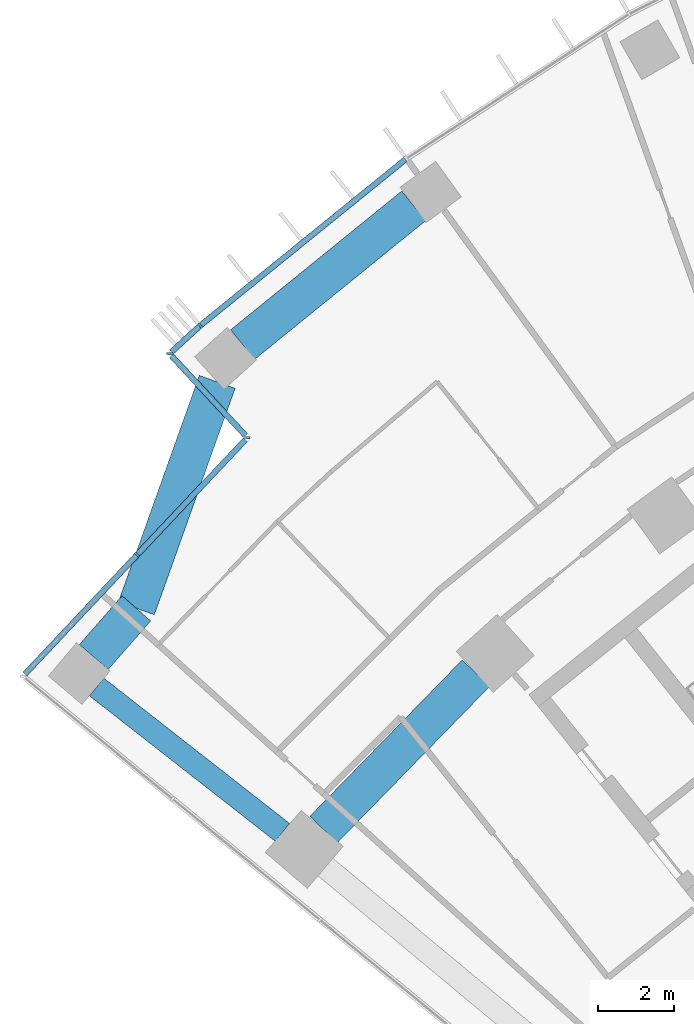
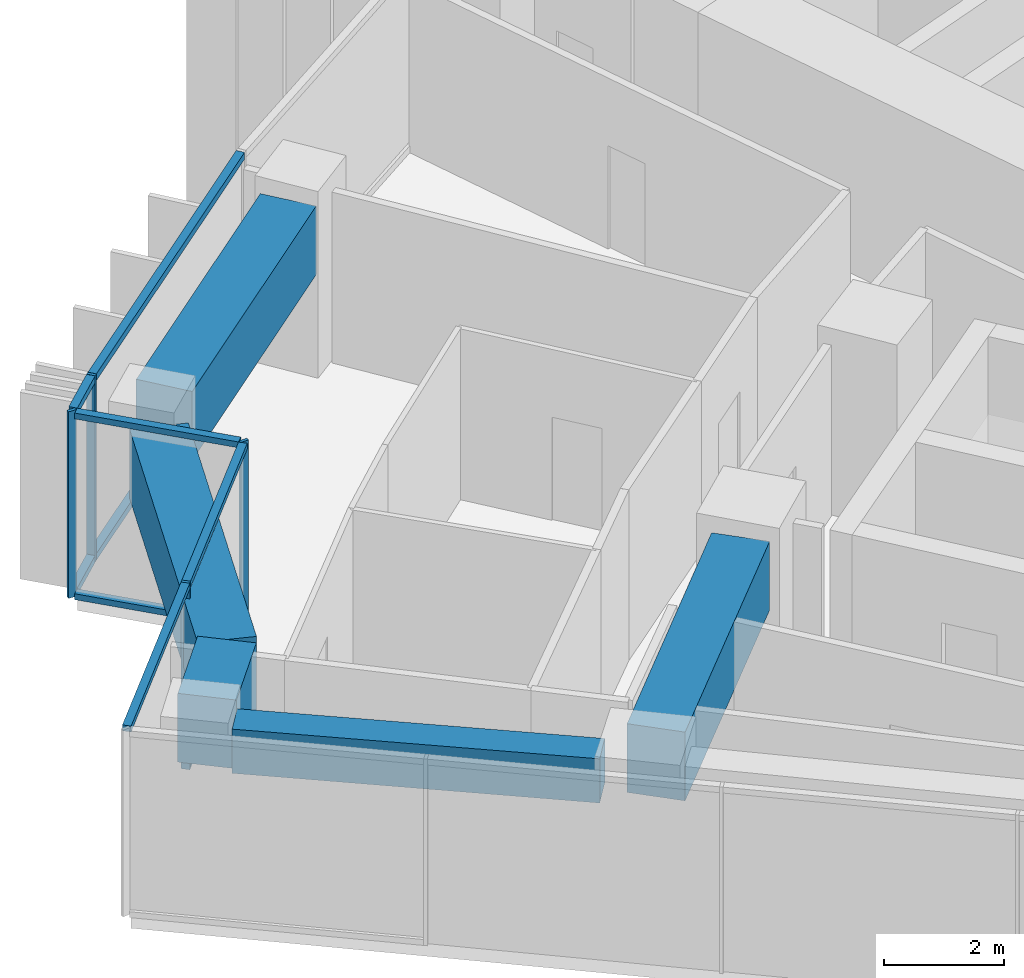
# One storey, part 3 of 22: 13 members, 5 beams, 3 elements without a shape of their own.
"""IFC4 building model written with IfcOpenShell, lengths in metres."""

from ifc_helpers import new_model, si_unit, direction, frame, origin, origin_2d, place, context, subcontext, project, spatial, rectangle, extrude, material, layer, layer_set, material_profile, profile_set, type_object, element, aggregate, save


model = new_model("IFC4")

# Units and contexts
model_context = context("Model", 3, precision=1e-05, world=origin(), true_north=direction((0.0, 1.0)))
body_context = subcontext(model_context, "Body", "Model", "MODEL_VIEW")
ifc_project = project(units=[si_unit("LENGTHUNIT", "METRE"), si_unit("AREAUNIT", "SQUARE_METRE"), si_unit("VOLUMEUNIT", "CUBIC_METRE"), si_unit("PLANEANGLEUNIT", "RADIAN"), si_unit("MASSUNIT", "GRAM", prefix="KILO")], contexts=[model_context])

# Site, building, storey
site_placement = place(None, origin())
site = spatial("IfcSite", under=ifc_project, at=site_placement, CompositionType="ELEMENT")
building_placement = place(site_placement, origin())
building = spatial("IfcBuilding", under=site, at=building_placement, Name="Stone Belt Terrace Tower", CompositionType="ELEMENT")
storey_placement = place(building_placement, frame((0.0, 0.0, 109.800048828125)))
storey = spatial("IfcBuildingStorey", under=building, at=storey_placement, Name="L26", CompositionType="ELEMENT", Elevation=109.800048828125)

# Curtain wall, members
ifc_material_1 = material(Name="Aluminium 6063-T6 anodised frame", Category="aluminium")
ifc_layer_1 = layer(ifc_material_1, 0.14990234375)
ifc_layer_set_1 = layer_set([ifc_layer_1], Name="CW-A unitised convex-face curtain wall")
curtain_wall_type_1 = type_object("IfcCurtainWallType", Name="CW-A unitised convex-face curtain wall", PredefinedType="NOTDEFINED", material=ifc_layer_set_1)
curtain_wall_1_placement = place(storey_placement, origin())
curtain_wall_1 = element("IfcCurtainWall", 1, at=curtain_wall_1_placement, inside=storey, type_object=curtain_wall_type_1, Name="CW-A convex face L26", PredefinedType="NOTDEFINED")
ifc_material_profile_1 = material_profile(ifc_material_1, rectangle(XDim=0.14990234375, YDim=0.06005859375, at=origin_2d()), Name="Aluminium 6063-T6 60x150")
ifc_profile_set_1 = profile_set([ifc_material_profile_1], Name="Aluminium 6063-T6 anodised frame")
member_type_1 = type_object("IfcMemberType", Name="CW-A mullion 60 x 150", PredefinedType="MULLION", material=ifc_profile_set_1)
member_1_placement = place(storey_placement, frame((-44.546142578125, 49.47607421875, 0.0), z_axis=(0.0, 0.0, 1.0), x_axis=(0.652344213157, -0.757922837471, 0.0)))
member_1 = element("IfcMember", 2, at=member_1_placement, type_object=member_type_1, Name="CW-A mullion 17", PredefinedType="MULLION", context=body_context, shape_type="SweptSolid", body=[
    extrude(rectangle(XDim=0.14990234375, YDim=0.06005859375, at=origin_2d()), origin(), (0.0, 0.0, 1.0), 3.800048828125),
])
ifc_material_profile_2 = material_profile(ifc_material_1, rectangle(XDim=0.14990234375, YDim=0.139892578125, at=origin_2d()), Name="Aluminium 6063-T6 150x140")
ifc_profile_set_2 = profile_set([ifc_material_profile_2], Name="Aluminium 6063-T6 anodised frame")
member_type_2 = type_object("IfcMemberType", Name="CW-A transom 140 x 150", PredefinedType="USERDEFINED", material=ifc_profile_set_2)
member_2_placement = place(storey_placement, frame((-39.158203125, 53.839111328125, 0.070068359375), z_axis=(-0.777141048626, -0.629326457842, 0.0), x_axis=(0.629326457842, -0.777141048626, 0.0)))
member_2 = element("IfcMember", 3, at=member_2_placement, type_object=member_type_2, Name="CW-A transom 16.1", ObjectType="TRANSOM", PredefinedType="USERDEFINED", context=body_context, shape_type="SweptSolid", body=[
    extrude(rectangle(XDim=0.14990234375, YDim=0.139892578125, at=origin_2d()), origin(), (0.0, 0.0, 1.0), 6.900634765625),
])
member_3_placement = place(storey_placement, frame((-39.158203125, 53.839111328125, 3.72998046875), z_axis=(-0.777141048626, -0.629326457842, 0.0), x_axis=(0.629326457842, -0.777141048626, 0.0)))
member_3 = element("IfcMember", 4, at=member_3_placement, type_object=member_type_2, Name="CW-A transom 16.2", ObjectType="TRANSOM", PredefinedType="USERDEFINED", context=body_context, shape_type="SweptSolid", body=[
    extrude(rectangle(XDim=0.14990234375, YDim=0.139892578125, at=origin_2d()), origin(), (0.0, 0.0, 1.0), 6.900634765625),
])
member_4_placement = place(storey_placement, frame((-44.56982421875, 49.454345703125, 0.070068359375), z_axis=(-0.737965406146, -0.674838543158, 0.0), x_axis=(0.674838543158, -0.737965406146, 0.0)))
member_4 = element("IfcMember", 5, at=member_4_placement, type_object=member_type_2, Name="CW-A transom 17.1", ObjectType="TRANSOM", PredefinedType="USERDEFINED", context=body_context, shape_type="SweptSolid", body=[
    extrude(rectangle(XDim=0.14990234375, YDim=0.139892578125, at=origin_2d()), origin(), (0.0, 0.0, 1.0), 0.986083984375),
])
member_5_placement = place(storey_placement, frame((-44.56982421875, 49.454345703125, 3.72998046875), z_axis=(-0.737965406146, -0.674838543158, 0.0), x_axis=(0.674838543158, -0.737965406146, 0.0)))
member_5 = element("IfcMember", 6, at=member_5_placement, type_object=member_type_2, Name="CW-A transom 17.2", ObjectType="TRANSOM", PredefinedType="USERDEFINED", context=body_context, shape_type="SweptSolid", body=[
    extrude(rectangle(XDim=0.14990234375, YDim=0.139892578125, at=origin_2d()), origin(), (0.0, 0.0, 1.0), 0.986083984375),
])
aggregate(curtain_wall_1, [member_1, member_2, member_3, member_4, member_5])

# Curtain wall, member
ifc_layer_2 = layer(ifc_material_1, 0.14990234375)
ifc_layer_set_2 = layer_set([ifc_layer_2], Name="CW-C stick curtain wall, horn ends and notches")
curtain_wall_type_2 = type_object("IfcCurtainWallType", Name="CW-C stick curtain wall, horn ends and notches", PredefinedType="NOTDEFINED", material=ifc_layer_set_2)
curtain_wall_2_placement = place(storey_placement, origin())
curtain_wall_2 = element("IfcCurtainWall", 7, at=curtain_wall_2_placement, inside=storey, type_object=curtain_wall_type_2, Name="CW-C notch face L26", PredefinedType="NOTDEFINED")
ifc_material_profile_3 = material_profile(ifc_material_1, rectangle(XDim=0.14990234375, YDim=0.06005859375, at=origin_2d()), Name="Aluminium 6063-T6 60x150")
ifc_profile_set_3 = profile_set([ifc_material_profile_3], Name="Aluminium 6063-T6 anodised frame")
member_type_3 = type_object("IfcMemberType", Name="CW-C mullion 60 x 150", PredefinedType="MULLION", material=ifc_profile_set_3)
member_6_placement = place(storey_placement, frame((-45.3525390625, 48.73876953125, 0.0), z_axis=(0.0, 0.0, 1.0), x_axis=(0.999163094932, -0.040903663964, 0.0)))
member_6 = element("IfcMember", 8, at=member_6_placement, type_object=member_type_3, Name="CW-C mullion 1", PredefinedType="MULLION", context=body_context, shape_type="SweptSolid", body=[
    extrude(rectangle(XDim=0.14990234375, YDim=0.06005859375, at=origin_2d()), origin(), (0.0, 0.0, 1.0), 3.800048828125),
])

# Curtain wall, members
curtain_wall_3_placement = place(storey_placement, origin())
curtain_wall_3 = element("IfcCurtainWall", 9, at=curtain_wall_3_placement, inside=storey, type_object=curtain_wall_type_2, Name="CW-C notch face L26", PredefinedType="NOTDEFINED")
member_7_placement = place(storey_placement, frame((-43.3076171875, 46.5361328125, 0.0), z_axis=(0.0, 0.0, 1.0), x_axis=(0.999994668066, -0.003265553363, 0.0)))
member_7 = element("IfcMember", 10, at=member_7_placement, type_object=member_type_3, Name="CW-C mullion 1", PredefinedType="MULLION", context=body_context, shape_type="SweptSolid", body=[
    extrude(rectangle(XDim=0.14990234375, YDim=0.06005859375, at=origin_2d()), origin(), (0.0, 0.0, 1.0), 3.800048828125),
])
member_8_placement = place(storey_placement, frame((-46.201416015625, 43.459716796875, 0.0), z_axis=(0.0, 0.0, 1.0), x_axis=(0.728388623646, -0.685164223338, 0.0)))
member_8 = element("IfcMember", 11, at=member_8_placement, type_object=member_type_3, Name="CW-C mullion 2", PredefinedType="MULLION", context=body_context, shape_type="SweptSolid", body=[
    extrude(rectangle(XDim=0.14990234375, YDim=0.06005859375, at=origin_2d()), origin(), (0.0, 0.0, 1.0), 3.800048828125),
])

# Member
ifc_material_profile_4 = material_profile(ifc_material_1, rectangle(XDim=0.14990234375, YDim=0.1201171875, at=origin_2d()), Name="Aluminium 6063-T6 150x120")
ifc_profile_set_4 = profile_set([ifc_material_profile_4], Name="Aluminium 6063-T6 anodised frame")
member_type_4 = type_object("IfcMemberType", Name="CW-C transom 120 x 150", PredefinedType="USERDEFINED", material=ifc_profile_set_4)
member_9_placement = place(storey_placement, frame((-45.302001953125, 48.684326171875, 0.06005859375), z_axis=(0.680395396826, -0.732845211472, 0.0), x_axis=(0.732845211472, 0.680395396826, 0.0)))
member_9 = element("IfcMember", 12, at=member_9_placement, type_object=member_type_4, Name="CW-C transom 1.1", ObjectType="TRANSOM", PredefinedType="USERDEFINED", context=body_context, shape_type="SweptSolid", body=[
    extrude(rectangle(XDim=0.14990234375, YDim=0.1201171875, at=origin_2d()), origin(), (0.0, 0.0, 1.0), 2.85791015625),
])

member_10_placement = place(storey_placement, frame((-45.302001953125, 48.684326171875, 3.739990234375), z_axis=(0.680395396826, -0.732845211472, 0.0), x_axis=(0.732845211472, 0.680395396826, 0.0)))
member_10 = element("IfcMember", 13, at=member_10_placement, type_object=member_type_4, Name="CW-C transom 1.2", ObjectType="TRANSOM", PredefinedType="USERDEFINED", context=body_context, shape_type="SweptSolid", body=[
    extrude(rectangle(XDim=0.14990234375, YDim=0.1201171875, at=origin_2d()), origin(), (0.0, 0.0, 1.0), 2.85791015625),
])

aggregate(curtain_wall_2, [member_6, member_9, member_10])

member_11_placement = place(storey_placement, frame((-43.357666015625, 46.48291015625, 0.06005859375), z_axis=(-0.685179856949, -0.728373917457, 0.0), x_axis=(0.728373917457, -0.685179856949, 0.0)))
member_11 = element("IfcMember", 14, at=member_11_placement, type_object=member_type_4, Name="CW-C transom 1.1", ObjectType="TRANSOM", PredefinedType="USERDEFINED", context=body_context, shape_type="SweptSolid", body=[
    extrude(rectangle(XDim=0.14990234375, YDim=0.1201171875, at=origin_2d()), origin(), (0.0, 0.0, 1.0), 4.120361328125),
])

member_12_placement = place(storey_placement, frame((-43.357666015625, 46.48291015625, 3.739990234375), z_axis=(-0.685179856949, -0.728373917457, 0.0), x_axis=(0.728373917457, -0.685179856949, 0.0)))
member_12 = element("IfcMember", 15, at=member_12_placement, type_object=member_type_4, Name="CW-C transom 1.2", ObjectType="TRANSOM", PredefinedType="USERDEFINED", context=body_context, shape_type="SweptSolid", body=[
    extrude(rectangle(XDim=0.14990234375, YDim=0.1201171875, at=origin_2d()), origin(), (0.0, 0.0, 1.0), 4.120361328125),
])

member_13_placement = place(storey_placement, frame((-46.221923828125, 43.43798828125, 3.739990234375), z_axis=(-0.68515773147, -0.728394730217, 0.0), x_axis=(0.728394730217, -0.68515773147, 0.0)))
member_13 = element("IfcMember", 16, at=member_13_placement, type_object=member_type_4, Name="CW-C transom 2.1", ObjectType="TRANSOM", PredefinedType="USERDEFINED", context=body_context, shape_type="SweptSolid", body=[
    extrude(rectangle(XDim=0.14990234375, YDim=0.1201171875, at=origin_2d()), origin(), (0.0, 0.0, 1.0), 4.268798828125),
])

aggregate(curtain_wall_3, [member_7, member_8, member_11, member_12, member_13])

# Beams
ifc_material_2 = material(Name="Concrete B60", Category="concrete")
ifc_material_profile_5 = material_profile(ifc_material_2, rectangle(XDim=0.60009765625, YDim=0.89990234375, at=origin_2d()), Name="RC 600x900")
ifc_profile_set_5 = profile_set([ifc_material_profile_5], Name="Concrete B60")
beam_type_1 = type_object("IfcBeamType", Name="Edge beam RC 600x900 B60", PredefinedType="SPANDREL", material=ifc_profile_set_5)
beam_1_placement = place(storey_placement, frame((-42.386474609375, 36.175537109375, 3.030029296875), z_axis=(-0.787640563378, 0.616135003811, 0.0), x_axis=(-0.616135003811, -0.787640563378, 0.0)))
element("IfcBeam", 17, at=beam_1_placement, inside=storey, type_object=beam_type_1, Name="Edge beam L26 A Q to R", PredefinedType="SPANDREL", context=body_context, shape_type="SweptSolid", body=[
    extrude(rectangle(XDim=0.60009765625, YDim=0.89990234375, at=origin_2d()), origin(), (0.0, 0.0, 1.0), 6.193603515625),
])
ifc_material_3 = material(Name="Concrete B80", Category="concrete")
ifc_material_profile_6 = material_profile(ifc_material_3, rectangle(XDim=1.0, YDim=1.39990234375, at=origin_2d()), Name="RC 1000x1400")
ifc_profile_set_6 = profile_set([ifc_material_profile_6], Name="Concrete B80")
beam_type_2 = type_object("IfcBeamType", Name="Transfer beam RC 1000x1400 B80", PredefinedType="BEAM", material=ifc_profile_set_6)
beam_2_placement = place(storey_placement, frame((-41.307861328125, 36.248779296875, 2.780029296875), z_axis=(0.697886584161, 0.716208290687, 0.0), x_axis=(-0.716208290687, 0.697886584161, 0.0)))
element("IfcBeam", 18, at=beam_2_placement, inside=storey, type_object=beam_type_2, Name="Transfer beam L26 QQA-Q15", PredefinedType="BEAM", context=body_context, shape_type="SweptSolid", body=[
    extrude(rectangle(XDim=1.0, YDim=1.39990234375, at=origin_2d()), origin(), (0.0, 0.0, 1.0), 5.729736328125),
])
beam_3_placement = place(storey_placement, frame((-47.339111328125, 40.77880859375, 2.780029296875), z_axis=(0.659492020562, 0.751711563577, 0.0), x_axis=(-0.751711563577, 0.659492020562, 0.0)))
element("IfcBeam", 19, at=beam_3_placement, inside=storey, type_object=beam_type_2, Name="Transfer beam L26 RRA-RA", PredefinedType="BEAM", context=body_context, shape_type="SweptSolid", body=[
    extrude(rectangle(XDim=1.0, YDim=1.39990234375, at=origin_2d()), origin(), (0.0, 0.0, 1.0), 1.697021484375),
])
beam_4_placement = place(storey_placement, frame((-46.219970703125, 42.054443359375, 2.780029296875), z_axis=(0.336000694691, 0.941861737819, 0.0), x_axis=(-0.941861737819, 0.336000694691, 0.0)))
element("IfcBeam", 20, at=beam_4_placement, inside=storey, type_object=beam_type_2, Name="Transfer beam L26 RRA-RNA", PredefinedType="BEAM", context=body_context, shape_type="SweptSolid", body=[
    extrude(rectangle(XDim=1.0, YDim=1.39990234375, at=origin_2d()), origin(), (0.0, 0.0, 1.0), 6.31201171875),
])
beam_5_placement = place(storey_placement, frame((-43.432373046875, 48.977294921875, 2.780029296875), z_axis=(0.776782543206, 0.62976891045, 0.0), x_axis=(-0.62976891045, 0.776782543206, 0.0)))
element("IfcBeam", 21, at=beam_5_placement, inside=storey, type_object=beam_type_2, Name="Transfer beam L26 RRNA-R16", PredefinedType="BEAM", context=body_context, shape_type="SweptSolid", body=[
    extrude(rectangle(XDim=1.0, YDim=1.39990234375, at=origin_2d()), origin(), (0.0, 0.0, 1.0), 5.782470703125),
])

save(model, "model.ifc")
